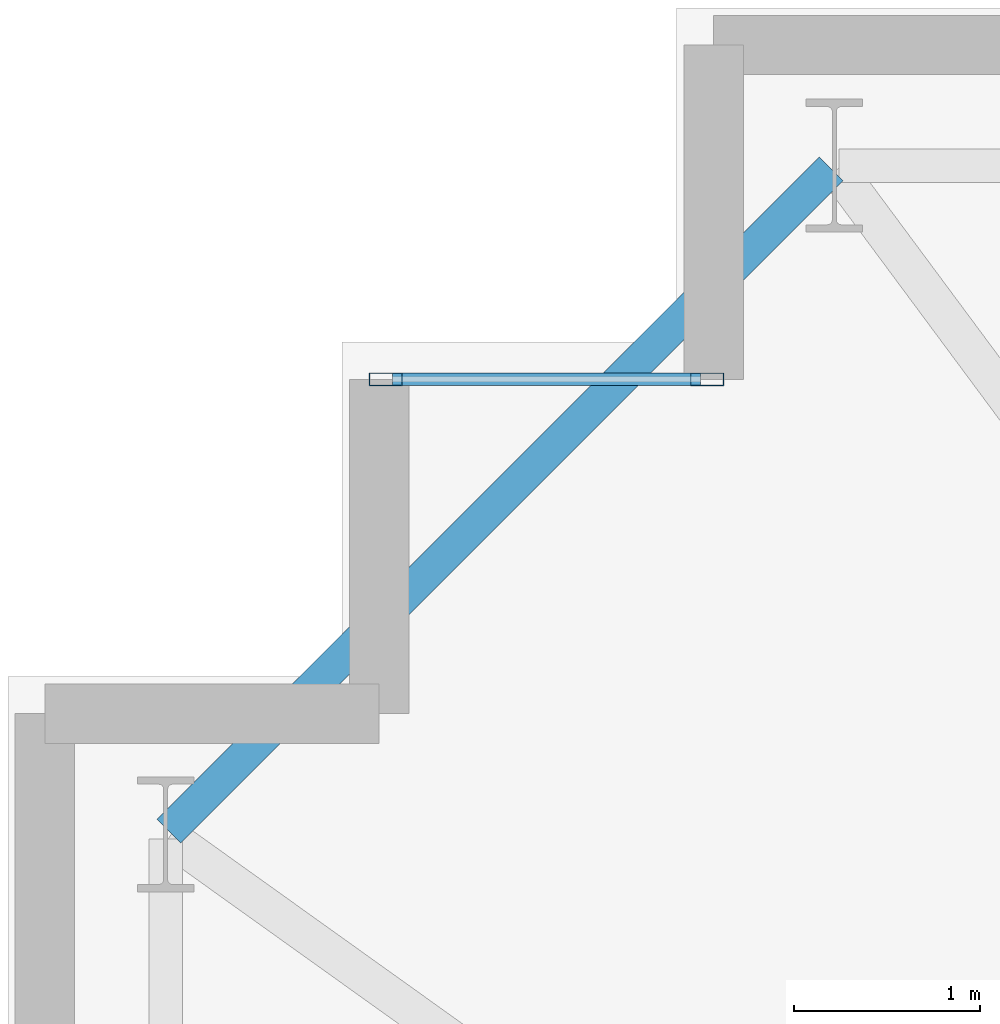
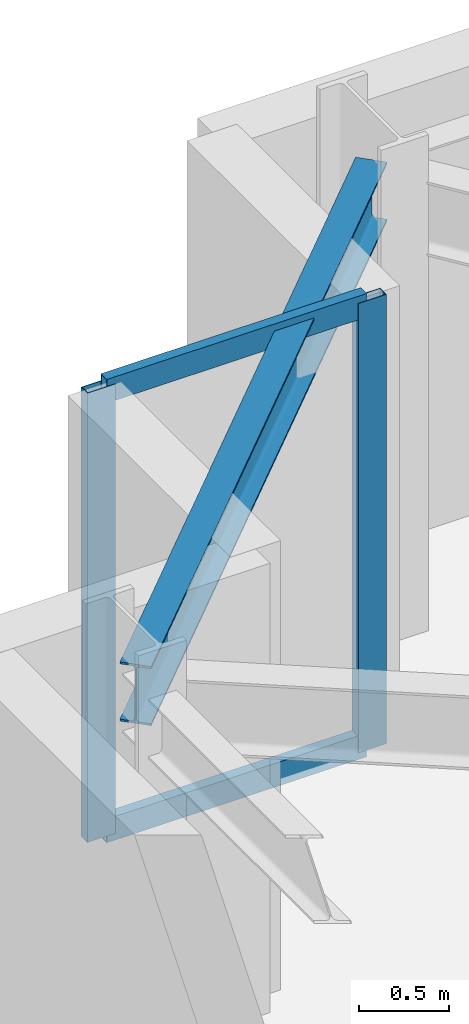
# One storey, part 8 of 21: 4 members, 1 beam, 1 element without a shape of its own.
"""IFC4 building model written with IfcOpenShell, lengths in metres."""

from ifc_helpers import new_model, si_unit, direction, frame, origin, origin_2d, place, context, subcontext, project, spatial, hollow_rectangle, i_section, extrude, material, layer, layer_set, material_profile, profile_set, type_object, element, aggregate, save


model = new_model("IFC4")

# Units and contexts
model_context = context("Model", 3, precision=1e-05, world=origin(), true_north=direction((0.0, 1.0)))
body_context = subcontext(model_context, "Body", "Model", "MODEL_VIEW")
ifc_project = project(units=[si_unit("LENGTHUNIT", "METRE"), si_unit("AREAUNIT", "SQUARE_METRE"), si_unit("VOLUMEUNIT", "CUBIC_METRE"), si_unit("PLANEANGLEUNIT", "RADIAN"), si_unit("MASSUNIT", "GRAM", prefix="KILO")], contexts=[model_context])

# Site, building, storey
site_placement = place(None, origin())
site = spatial("IfcSite", under=ifc_project, at=site_placement, CompositionType="ELEMENT")
building_placement = place(site_placement, origin())
building = spatial("IfcBuilding", under=site, at=building_placement, Name="Qobustan Lattice House", CompositionType="ELEMENT")
storey_placement = place(building_placement, frame((0.0, 0.0, 40.39990234375)))
storey = spatial("IfcBuildingStorey", under=building, at=storey_placement, Name="L10", CompositionType="ELEMENT", Elevation=40.39990234375)

# Beam
ifc_material_1 = material(Name="Steel S355", Category="steel")
ifc_material_profile_1 = material_profile(ifc_material_1, i_section(OverallWidth=0.179931640625, OverallDepth=0.39990234375, WebThickness=0.008544921875, FlangeThickness=0.013427734375, FilletRadius=0.02099609375, at=origin_2d()), Name="IPE400")
ifc_profile_set_1 = profile_set([ifc_material_profile_1], Name="Steel S355")
beam_type = type_object("IfcBeamType", Name="BM-SPD-IPE400", PredefinedType="SPANDREL", material=ifc_profile_set_1)
beam_placement = place(storey_placement, frame((-28.567626953125, 18.732421875, 2.835205078125), z_axis=(-0.707106781187, -0.707106781187, 0.0), x_axis=(0.707106781187, -0.707106781187, 0.0)))
element("IfcBeam", 1, at=beam_placement, inside=storey, type_object=beam_type, Name="L10 perimeter spandrel N7-W1", PredefinedType="SPANDREL", context=body_context, shape_type="SweptSolid", body=[
    extrude(i_section(OverallWidth=0.179931640625, OverallDepth=0.39990234375, WebThickness=0.008544921875, FlangeThickness=0.013427734375, FilletRadius=0.02099609375, at=origin_2d()), origin(), (0.0, 0.0, 1.0), 5.041259765625),
])

# Curtain wall, members
ifc_material_2 = material(Name="Anodised aluminium and low-E glazing", Category="aluminium")
ifc_layer = layer(ifc_material_2, 0.219970703125)
ifc_layer_set = layer_set([ifc_layer], Name="Anodised aluminium and low-E glazing")
curtain_wall_type = type_object("IfcCurtainWallType", Name="CW-FAC-01", PredefinedType="USERDEFINED", material=ifc_layer_set)
curtain_wall_placement = place(storey_placement, origin())
curtain_wall = element("IfcCurtainWall", 2, at=curtain_wall_placement, inside=storey, type_object=curtain_wall_type, Name="L10 serrated corner faceted glazing 8", ObjectType="CURTAIN WALL", PredefinedType="USERDEFINED")
ifc_material_3 = material(Name="Anodised aluminium EN AW-6063 T6", Category="aluminium")
ifc_material_profile_2 = material_profile(ifc_material_3, hollow_rectangle(XDim=0.070068359375, YDim=0.179931640625, WallThickness=0.00439453125, at=origin_2d()), Name="CWM-180x70")
ifc_profile_set_2 = profile_set([ifc_material_profile_2], Name="Anodised aluminium EN AW-6063 T6")
member_type_1 = type_object("IfcMemberType", Name="CWM-STD-180", PredefinedType="MULLION", material=ifc_profile_set_2)
member_1_placement = place(storey_placement, frame((-30.965087890625, 17.60009765625, 0.0), z_axis=(0.0, 0.0, 1.0), x_axis=(0.0, 1.0, 0.0)))
member_1 = element("IfcMember", 3, at=member_1_placement, type_object=member_type_1, Name="CW-F1 mullion 1", PredefinedType="MULLION", context=body_context, shape_type="SweptSolid", body=[
    extrude(hollow_rectangle(XDim=0.070068359375, YDim=0.179931640625, WallThickness=0.00439453125, at=origin_2d()), origin(), (0.0, 0.0, 1.0), 3.03515625),
])
member_2_placement = place(storey_placement, frame((-29.235107421875, 17.60009765625, 0.0), z_axis=(0.0, 0.0, 1.0), x_axis=(0.0, 1.0, 0.0)))
member_2 = element("IfcMember", 4, at=member_2_placement, type_object=member_type_1, Name="CW-F1 mullion 2", PredefinedType="MULLION", context=body_context, shape_type="SweptSolid", body=[
    extrude(hollow_rectangle(XDim=0.070068359375, YDim=0.179931640625, WallThickness=0.00439453125, at=origin_2d()), origin(), (0.0, 0.0, 1.0), 3.03515625),
])
ifc_material_4 = material(Name="Anodised aluminium EN AW-6063 T6", Category="aluminium")
ifc_material_profile_3 = material_profile(ifc_material_4, hollow_rectangle(XDim=0.06494140625, YDim=0.159912109375, WallThickness=0.00390625, at=origin_2d()), Name="CWT-160x65")
ifc_profile_set_3 = profile_set([ifc_material_profile_3], Name="Anodised aluminium EN AW-6063 T6")
member_type_2 = type_object("IfcMemberType", Name="CWT-HOR-160", PredefinedType="USERDEFINED", material=ifc_profile_set_3)
member_3_placement = place(storey_placement, frame((-30.929931640625, 17.60009765625, 0.03271484375), z_axis=(1.0, 0.0, 0.0), x_axis=(0.0, 1.0, 0.0)))
member_3 = element("IfcMember", 5, at=member_3_placement, type_object=member_type_2, Name="CW-F1 transom 1.1", ObjectType="TRANSOM", PredefinedType="USERDEFINED", context=body_context, shape_type="SweptSolid", body=[
    extrude(hollow_rectangle(XDim=0.06494140625, YDim=0.159912109375, WallThickness=0.00390625, at=origin_2d()), origin(), (0.0, 0.0, 1.0), 1.659912109375),
])
member_4_placement = place(storey_placement, frame((-30.929931640625, 17.60009765625, 3.002685546875), z_axis=(1.0, 0.0, 0.0), x_axis=(0.0, 1.0, 0.0)))
member_4 = element("IfcMember", 6, at=member_4_placement, type_object=member_type_2, Name="CW-F1 transom 1.2", ObjectType="TRANSOM", PredefinedType="USERDEFINED", context=body_context, shape_type="SweptSolid", body=[
    extrude(hollow_rectangle(XDim=0.06494140625, YDim=0.159912109375, WallThickness=0.00390625, at=origin_2d()), origin(), (0.0, 0.0, 1.0), 1.659912109375),
])
aggregate(curtain_wall, [member_1, member_2, member_3, member_4])

save(model, "model.ifc")
